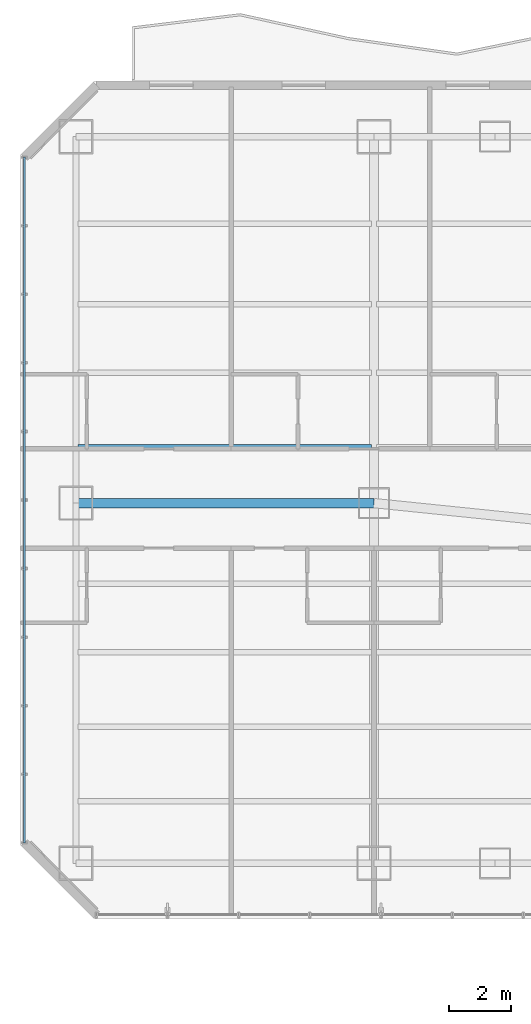
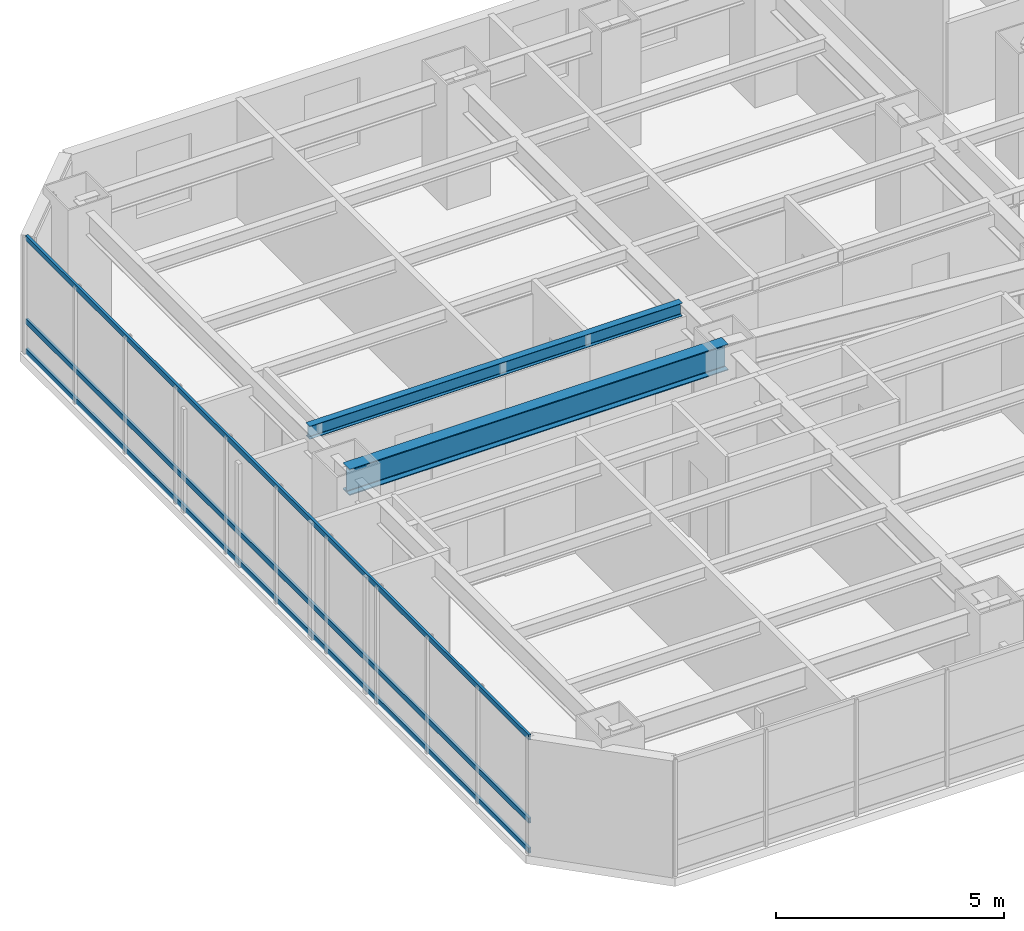
# One storey, part 13 of 32: 3 members, 2 beams, 1 element without a shape of its own.
"""IFC4 building model written with IfcOpenShell, lengths in metres."""

from ifc_helpers import new_model, si_unit, direction, frame, origin, origin_2d, place, context, subcontext, project, spatial, hollow_rectangle, i_section, extrude, material, layer, layer_set, material_profile, profile_set, type_object, element, aggregate, save


model = new_model("IFC4")

# Units and contexts
model_context = context("Model", 3, precision=1e-05, world=origin(), true_north=direction((0.0, 1.0)))
body_context = subcontext(model_context, "Body", "Model", "MODEL_VIEW")
ifc_project = project(units=[si_unit("LENGTHUNIT", "METRE"), si_unit("AREAUNIT", "SQUARE_METRE"), si_unit("VOLUMEUNIT", "CUBIC_METRE"), si_unit("PLANEANGLEUNIT", "RADIAN"), si_unit("MASSUNIT", "GRAM", prefix="KILO")], contexts=[model_context])

# Site, building, storey
site_placement = place(None, origin())
site = spatial("IfcSite", under=ifc_project, at=site_placement, CompositionType="ELEMENT")
building_placement = place(site_placement, origin())
building = spatial("IfcBuilding", under=site, at=building_placement, Name="Hatsunagi Terrace Concourse", CompositionType="ELEMENT")
storey_placement = place(building_placement, frame((0.0, 0.0, 36.60009765625)))
storey = spatial("IfcBuildingStorey", under=building, at=storey_placement, Name="L08", CompositionType="ELEMENT", Elevation=36.60009765625)

# Curtain wall, members
ifc_material_1 = material(Name="Anodised Aluminium Alloy 6063-T5", Category="aluminium")
ifc_layer = layer(ifc_material_1, 0.199951171875)
ifc_layer_set = layer_set([ifc_layer], Name="HotelFacade_CW02")
curtain_wall_type = type_object("IfcCurtainWallType", Name="HotelFacade_CW02", PredefinedType="NOTDEFINED", material=ifc_layer_set)
curtain_wall_placement = place(storey_placement, origin())
curtain_wall = element("IfcCurtainWall", 1, at=curtain_wall_placement, inside=storey, type_object=curtain_wall_type, Name="Unitised Curtain Wall CW-02 CW-L08-09", PredefinedType="NOTDEFINED")
ifc_material_2 = material(Name="Anodised Aluminium Alloy 6063-T5", Category="aluminium")
ifc_material_profile_1 = material_profile(ifc_material_2, hollow_rectangle(XDim=0.06494140625, YDim=0.139892578125, WallThickness=0.00390625, at=origin_2d()), Name="ALU-TRN-140x65x4")
ifc_profile_set_1 = profile_set([ifc_material_profile_1], Name="Anodised Aluminium Alloy 6063-T5")
member_type = type_object("IfcMemberType", Name="CurtainWallTransom_140x65", PredefinedType="USERDEFINED", material=ifc_profile_set_1)
member_1_placement = place(storey_placement, frame((0.139892578125, 25.85791015625, 0.0498046875), z_axis=(0.0, 1.0, 0.0), x_axis=(-1.0, 0.0, 0.0)))
member_1 = element("IfcMember", 2, at=member_1_placement, type_object=member_type, Name="Curtain Wall Transom TRN-02", ObjectType="TRANSOM", PredefinedType="USERDEFINED", context=body_context, shape_type="SweptSolid", body=[
    extrude(hollow_rectangle(XDim=0.06494140625, YDim=0.139892578125, WallThickness=0.00390625, at=origin_2d()), origin(), (0.0, 0.0, 1.0), 22.083984375),
])
member_2_placement = place(storey_placement, frame((0.139892578125, 25.85791015625, 0.849853515625), z_axis=(0.0, 1.0, 0.0), x_axis=(-1.0, 0.0, 0.0)))
member_2 = element("IfcMember", 3, at=member_2_placement, type_object=member_type, Name="Curtain Wall Transom TRN-02", ObjectType="TRANSOM", PredefinedType="USERDEFINED", context=body_context, shape_type="SweptSolid", body=[
    extrude(hollow_rectangle(XDim=0.06494140625, YDim=0.139892578125, WallThickness=0.00390625, at=origin_2d()), origin(), (0.0, 0.0, 1.0), 22.083984375),
])
member_3_placement = place(storey_placement, frame((0.139892578125, 25.85791015625, 3.079833984375), z_axis=(0.0, 1.0, 0.0), x_axis=(-1.0, 0.0, 0.0)))
member_3 = element("IfcMember", 4, at=member_3_placement, type_object=member_type, Name="Curtain Wall Transom TRN-02", ObjectType="TRANSOM", PredefinedType="USERDEFINED", context=body_context, shape_type="SweptSolid", body=[
    extrude(hollow_rectangle(XDim=0.06494140625, YDim=0.139892578125, WallThickness=0.00390625, at=origin_2d()), origin(), (0.0, 0.0, 1.0), 22.083984375),
])
aggregate(curtain_wall, [member_1, member_2, member_3])

# Beams
ifc_material_3 = material(Name="Steel SN490B", Category="steel")
ifc_material_profile_2 = material_profile(ifc_material_3, i_section(OverallWidth=0.300048828125, OverallDepth=0.699951171875, WebThickness=0.012939453125, FlangeThickness=0.02392578125, FilletRadius=0.02197265625, at=origin_2d()), Name="H-700x300x13x24")
ifc_profile_set_2 = profile_set([ifc_material_profile_2], Name="Steel SN490B")
beam_type_1 = type_object("IfcBeamType", Name="HotelFloorGirder_H_700x300", PredefinedType="BEAM", material=ifc_profile_set_2)
beam_1_placement = place(storey_placement, frame((1.800048828125, 36.800048828125, 2.77978515625), z_axis=(1.0, 0.0, 0.0), x_axis=(0.0, 1.0, 0.0)))
element("IfcBeam", 5, at=beam_1_placement, inside=storey, type_object=beam_type_1, Name="Beam G-04 BM-L08-EW-1", PredefinedType="BEAM", context=body_context, shape_type="SweptSolid", body=[
    extrude(i_section(OverallWidth=0.300048828125, OverallDepth=0.699951171875, WebThickness=0.012939453125, FlangeThickness=0.02392578125, FilletRadius=0.02197265625, at=origin_2d()), origin(), (0.0, 0.0, 1.0), 9.599853515625),
])
ifc_material_4 = material(Name="Steel SN490B", Category="steel")
ifc_material_profile_3 = material_profile(ifc_material_4, i_section(OverallWidth=0.175048828125, OverallDepth=0.35009765625, WebThickness=0.007080078125, FlangeThickness=0.010986328125, FilletRadius=0.012939453125, at=origin_2d()), Name="H-350x175x7x11")
ifc_profile_set_3 = profile_set([ifc_material_profile_3], Name="Steel SN490B")
beam_type_2 = type_object("IfcBeamType", Name="HotelJoist_H_350x175", PredefinedType="JOIST", material=ifc_profile_set_3)
beam_2_placement = place(storey_placement, frame((1.864990234375, 38.60009765625, 2.954833984375), z_axis=(1.0, 0.0, 0.0), x_axis=(0.0, 1.0, 0.0)))
element("IfcBeam", 6, at=beam_2_placement, inside=storey, type_object=beam_type_2, Name="Beam J-02 J-L08-W-1-386", PredefinedType="JOIST", context=body_context, shape_type="SweptSolid", body=[
    extrude(i_section(OverallWidth=0.175048828125, OverallDepth=0.35009765625, WebThickness=0.007080078125, FlangeThickness=0.010986328125, FilletRadius=0.012939453125, at=origin_2d()), origin(), (0.0, 0.0, 1.0), 9.449951171875),
])

save(model, "model.ifc")
